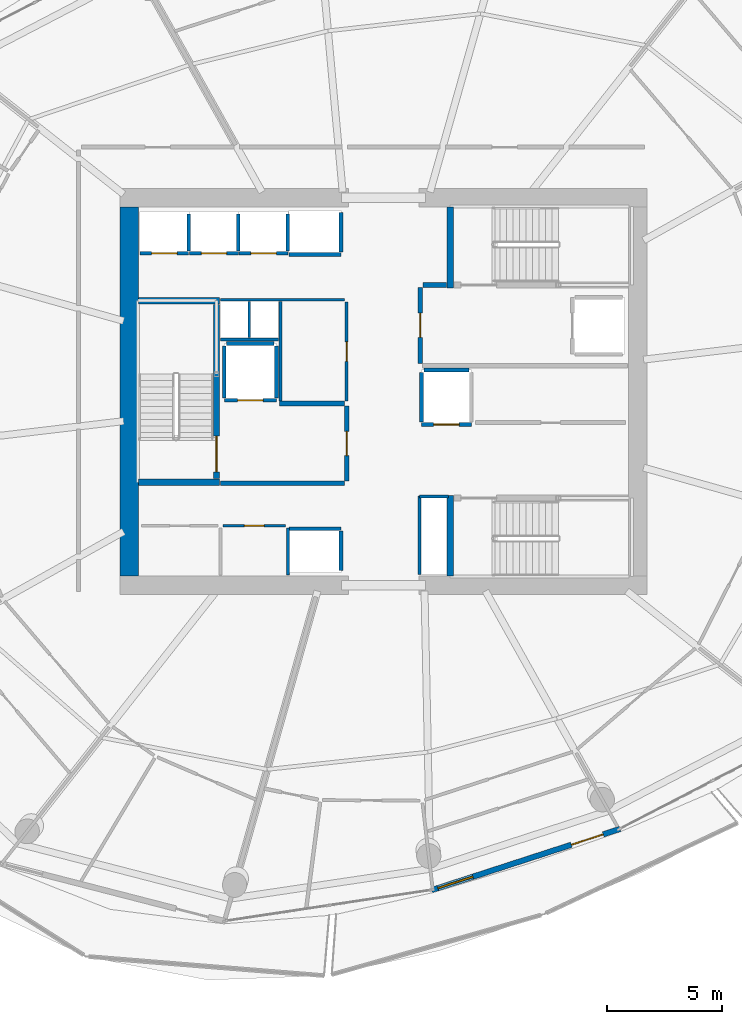
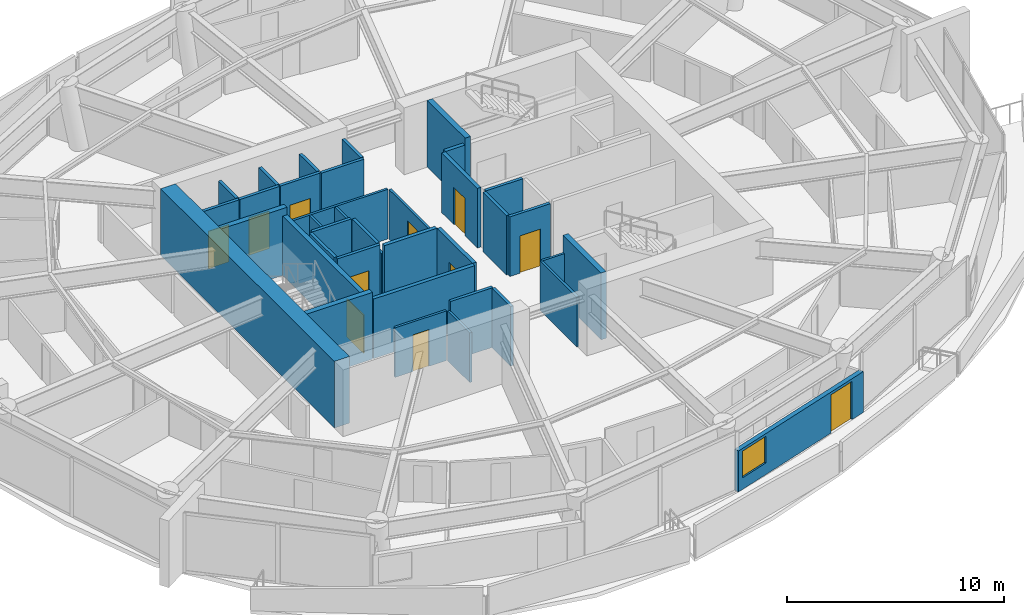
# One storey, part 11 of 19: 38 walls, 11 doors, 1 window, 12 openings.
"""IFC4 building model written with IfcOpenShell, lengths in metres."""

import ifcopenshell
import ifcopenshell.guid

model = None  # the IFC model being written
_history = None  # IfcOwnerHistory: only IFC2X3 demands one
_inside = {}  # id of a spatial element -> (the spatial element, [elements in it])
_under = {}  # id of a project, library or spatial element -> (it, [spatial elements below it])
_declared = {}  # id of a project -> (the project, [libraries it declares])
_typed = {}  # id of a type object -> (the type object, [elements of that type])
_made_of = {}  # id of a material, layer set ... -> (it, [elements and type objects made of it])


def new_model(schema):
    """Start an empty IFC model of exactly this schema.

    Asked for "IFC4X3", IfcOpenShell would pick the latest addendum, in which some entities
    have other attributes; the version numbers below select the first issue.
    IFC2X3 requires an IfcOwnerHistory on every rooted entity: one is made here for all.
    """
    global model, _history
    if schema == "IFC4X3":
        model = ifcopenshell.file(schema_version=(4, 3, 0, 0))
    else:
        model = ifcopenshell.file(schema=schema)
    _inside.clear()
    _under.clear()
    _declared.clear()
    _typed.clear()
    _made_of.clear()
    _history = None
    if model.schema == "IFC2X3":
        org = make("IfcOrganization", Name="unknown")
        user = make(
            "IfcPersonAndOrganization",
            ThePerson=make("IfcPerson", FamilyName="unknown"),
            TheOrganization=org,
        )
        app = make(
            "IfcApplication",
            ApplicationDeveloper=org,
            Version="unknown",
            ApplicationFullName="unknown",
            ApplicationIdentifier="unknown",
        )
        _history = make(
            "IfcOwnerHistory",
            OwningUser=user,
            OwningApplication=app,
            ChangeAction="ADDED",
            CreationDate=0,
        )
    return model


def make(cls, **values):
    """One entity of the class cls with the attributes given. An attribute that is None is left unset."""
    return model.create_entity(
        cls, **{name: value for name, value in values.items() if value is not None}
    )


def rooted(cls, **values):
    """An entity with a GlobalId (a new one), such as an element, a storey or a relation."""
    return make(cls, GlobalId=ifcopenshell.guid.new(), OwnerHistory=_history, **values)


def si_unit(unit_type, name, prefix=None):
    """IfcSIUnit, for example si_unit("LENGTHUNIT", "METRE", prefix="MILLI")."""
    return make("IfcSIUnit", UnitType=unit_type, Prefix=prefix, Name=name)


def assignment(units):
    """IfcUnitAssignment: the units of a project."""
    return None if units is None else make("IfcUnitAssignment", Units=units)


def point(xyz):
    """IfcCartesianPoint."""
    return None if xyz is None else make("IfcCartesianPoint", Coordinates=xyz)


def direction(xyz):
    """IfcDirection."""
    return None if xyz is None else make("IfcDirection", DirectionRatios=xyz)


def frame(location, z_axis=None, x_axis=None):
    """IfcAxis2Placement3D, a coordinate frame: its origin and axes. An axis left out is left unset."""
    return make(
        "IfcAxis2Placement3D",
        Location=point(location),
        Axis=direction(z_axis),
        RefDirection=direction(x_axis),
    )


def frame_2d(location, x_axis=None):
    """IfcAxis2Placement2D, a coordinate frame in the plane: its origin and x axis."""
    return make(
        "IfcAxis2Placement2D", Location=point(location), RefDirection=direction(x_axis)
    )


def origin():
    """The frame at (0, 0, 0) with its axes left unset."""
    return frame((0.0, 0.0, 0.0))


def place(relative_to, where):
    """IfcLocalPlacement: puts the frame where relative to a parent placement (None: the world)."""
    return make(
        "IfcLocalPlacement", PlacementRelTo=relative_to, RelativePlacement=where
    )


def context(
    kind, dimensions, precision=None, world=None, true_north=None, identifier=None
):
    """IfcGeometricRepresentationContext, for example the 3D "Model" context."""
    return make(
        "IfcGeometricRepresentationContext",
        ContextIdentifier=identifier,
        ContextType=kind,
        CoordinateSpaceDimension=dimensions,
        Precision=precision,
        WorldCoordinateSystem=world,
        TrueNorth=true_north,
    )


def subcontext(parent, identifier, kind, view, scale=None):
    """IfcGeometricRepresentationSubContext, for example "Body" below "Model"."""
    return make(
        "IfcGeometricRepresentationSubContext",
        ContextIdentifier=identifier,
        ContextType=kind,
        ParentContext=parent,
        TargetScale=scale,
        TargetView=view,
    )


def project(units=None, contexts=None):
    """IfcProject with its units and contexts."""
    return rooted(
        "IfcProject",
        Name="project",
        RepresentationContexts=contexts,
        UnitsInContext=assignment(units),
    )


def spatial(cls, under=None, at=None, **own):
    """A site, building, storey or space (cls), placed at a placement, below another one or the project."""
    s = rooted(cls, ObjectPlacement=at, **own)
    if under is not None:
        _under.setdefault(under.id(), (under, []))[1].append(s)
    return s


def profile(cls, at=None, kind="AREA", **sizes):
    """A parametric profile (cls). Its sizes go by their IFC names, for example OverallWidth=200.0."""
    return make(cls, ProfileType=kind, Position=at, **sizes)


def rectangle(**sizes):
    """IfcRectangleProfileDef."""
    return profile("IfcRectangleProfileDef", **sizes)


def extrude(swept, where, along, depth):
    """IfcExtrudedAreaSolid: the profile swept, set in the frame where, extruded along a direction by depth."""
    return make(
        "IfcExtrudedAreaSolid",
        SweptArea=swept,
        Position=where,
        ExtrudedDirection=direction(along),
        Depth=depth,
    )


def shape(context_of_items, identifier, shape_type, items):
    """IfcShapeRepresentation: the items that make up one representation, for example the "Body"."""
    return make(
        "IfcShapeRepresentation",
        ContextOfItems=context_of_items,
        RepresentationIdentifier=identifier,
        RepresentationType=shape_type,
        Items=items,
    )


def material(Name=None, Category=None):
    """IfcMaterial."""
    return make("IfcMaterial", Name=Name, Category=Category)


def layer(
    of_material, thickness, ventilated=None, Name=None, Category=None, Priority=None
):
    """IfcMaterialLayer: one layer of a wall or slab, of a material (None: an air gap)."""
    return make(
        "IfcMaterialLayer",
        Material=of_material,
        LayerThickness=thickness,
        IsVentilated=ventilated,
        Name=Name,
        Category=Category,
        Priority=Priority,
    )


def layer_set(layers, Name=None):
    """IfcMaterialLayerSet."""
    return make("IfcMaterialLayerSet", MaterialLayers=layers, LayerSetName=Name)


def made_of(thing, what):
    """Note that an element or type object is made of a material, layer set ...; save() writes the relation."""
    if what is not None:
        _made_of.setdefault(what.id(), (what, []))[1].append(thing)
    return thing


def type_object(cls, material=None, **own):
    """A type object (cls), such as IfcWallType, which elements share."""
    return made_of(rooted(cls, **own), material)


def element(
    cls,
    number,
    at=None,
    inside=None,
    cuts=None,
    type_object=None,
    material=None,
    context=None,
    identifier="Body",
    shape_type=None,
    held_by="IfcProductDefinitionShape",
    body=None,
    shapes=None,
    **own,
):
    """One element of the class cls, such as IfcWall. Its Tag is "e" and its number.

    at: its placement. inside: the storey or other place that contains it. cuts: it is an
    opening in that element (IfcRelVoidsElement). A single representation is given by context,
    identifier, shape_type and body (its items); several are given by shapes. held_by: the class
    of the entity that holds the representations. save() writes the other relations.
    """
    e = rooted(cls, Tag="e%d" % number, ObjectPlacement=at, **own)
    if body is not None:
        shapes = [shape(context, identifier, shape_type, body)]
    if shapes is not None:
        e.Representation = make(held_by, Representations=shapes)
    if inside is not None:
        _inside.setdefault(inside.id(), (inside, []))[1].append(e)
    if cuts is not None:
        rooted(
            "IfcRelVoidsElement", RelatingBuildingElement=cuts, RelatedOpeningElement=e
        )
    if type_object is not None:
        _typed.setdefault(type_object.id(), (type_object, []))[1].append(e)
    return made_of(e, material)


def fill(opening, filler):
    """IfcRelFillsElement: the door or window that sits in an opening."""
    return rooted(
        "IfcRelFillsElement",
        RelatingOpeningElement=opening,
        RelatedBuildingElement=filler,
    )


def aggregate(whole, parts):
    """IfcRelAggregates: a whole, such as a stair, and the parts it consists of."""
    return rooted("IfcRelAggregates", RelatingObject=whole, RelatedObjects=parts)


def save(model, path):
    """Write the relations noted so far, then the file.

    IfcRelAggregates (storeys below a building ...), IfcRelContainedInSpatialStructure (elements
    in a storey), IfcRelDefinesByType, IfcRelAssociatesMaterial and IfcRelDeclares: one each for
    every whole, place, type object, material and project.
    """
    for whole, parts in _under.values():
        aggregate(whole, parts)
    for where, things in _inside.values():
        rooted(
            "IfcRelContainedInSpatialStructure",
            RelatedElements=things,
            RelatingStructure=where,
        )
    for kind, things in _typed.values():
        rooted("IfcRelDefinesByType", RelatedObjects=things, RelatingType=kind)
    for what, things in _made_of.values():
        rooted("IfcRelAssociatesMaterial", RelatedObjects=things, RelatingMaterial=what)
    for by, libraries in _declared.values():
        rooted("IfcRelDeclares", RelatingContext=by, RelatedDefinitions=libraries)
    model.write(path)


model = new_model("IFC4")

# Units and contexts
model_context = context("Model", 3, precision=1e-05, world=origin(), true_north=direction((0.0, 1.0)))
body_context = subcontext(model_context, "Body", "Model", "MODEL_VIEW")
ifc_project = project(units=[si_unit("LENGTHUNIT", "METRE"), si_unit("AREAUNIT", "SQUARE_METRE"), si_unit("VOLUMEUNIT", "CUBIC_METRE"), si_unit("PLANEANGLEUNIT", "RADIAN"), si_unit("MASSUNIT", "GRAM", prefix="KILO")], contexts=[model_context])

# Site, building, storey
site_placement = place(None, origin())
site = spatial("IfcSite", under=ifc_project, at=site_placement, CompositionType="ELEMENT")
building_placement = place(site_placement, origin())
building = spatial("IfcBuilding", under=site, at=building_placement, Name="Kazma Halo Residences", CompositionType="ELEMENT")
storey_placement = place(building_placement, frame((0.0, 0.0, 172.800048828125)))
storey = spatial("IfcBuildingStorey", under=building, at=storey_placement, Name="L43", CompositionType="ELEMENT", Elevation=172.800048828125)

# Walls
ifc_material_1 = material(Name="Concrete C80/95", Category="concrete")
ifc_layer_1 = layer(ifc_material_1, 0.800048828125)
ifc_layer_set_1 = layer_set([ifc_layer_1], Name="Concrete C80/95")
wall_type_1 = type_object("IfcWallType", Name="WL-CORE-800", PredefinedType="SHEAR", material=ifc_layer_set_1)
wall_1_placement = place(storey_placement, frame((37.39990234375, 34.0, 0.0), z_axis=(0.0, 0.0, 1.0), x_axis=(0.0, 1.0, 0.0)))
element("IfcWall", 1, at=wall_1_placement, inside=storey, type_object=wall_type_1, Name="L43 central core shear wall W", PredefinedType="SHEAR", context=body_context, shape_type="SweptSolid", body=[
    extrude(rectangle(XDim=16.0, YDim=0.800048828125, at=frame_2d((8.0, 0.0))), origin(), (0.0, 0.0, 1.0), 3.75),
])
ifc_material_2 = material(Name="Concrete C60/75", Category="concrete")
ifc_layer_2 = layer(ifc_material_2, 0.280029296875)
ifc_layer_set_2 = layer_set([ifc_layer_2], Name="Concrete C60/75")
wall_type_2 = type_object("IfcWallType", Name="WL-CORE-ST-280", PredefinedType="SHEAR", material=ifc_layer_set_2)
for number, where, z_axis, x_axis, name in (
    (2, (37.800048828125, 38.06005859375, 0.0), (0.0, 0.0, 1.0), (1.0, 0.0, 0.0), "L43 stairwell bearing wall ST01-S"),
    (3, (37.800048828125, 45.93994140625, 0.0), (0.0, 0.0, 1.0), (1.0, 0.0, 0.0), "L43 stairwell bearing wall ST01-N"),
    (4, (51.31005859375, 46.5, 0.0), (0.0, 0.0, 1.0), (0.0, 1.0, 0.0), "L43 stairwell bearing wall ST02-W"),
    (5, (51.31005859375, 34.0, 0.0), (0.0, 0.0, 1.0), (0.0, 1.0, 0.0), "L43 stairwell bearing wall ST03-W"),
):
    element("IfcWall", number, at=place(storey_placement, frame(where, z_axis=z_axis, x_axis=x_axis)), inside=storey, type_object=wall_type_2, Name=name, PredefinedType="SHEAR", context=body_context, shape_type="SweptSolid", body=[
        extrude(rectangle(XDim=3.5, YDim=0.280029296875, at=frame_2d((1.75, 0.0))), origin(), (0.0, 0.0, 1.0), 3.75),
    ])

# Wall, openings, door, window
ifc_material_3 = material(Name="Insulated Pale-Metal Composite Wall")
ifc_layer_3 = layer(ifc_material_3, 0.239990234375)
ifc_layer_set_3 = layer_set([ifc_layer_3], Name="Insulated Pale-Metal Composite Wall")
wall_type_3 = type_object("IfcWallType", Name="WL-EXT-HOST-240", PredefinedType="SOLIDWALL", material=ifc_layer_set_3)
wall_2_placement = place(storey_placement, frame((50.510009765625, 20.375732421875, 0.0), z_axis=(0.0, 0.0, 1.0), x_axis=(0.951046390632, 0.309048156224, 0.0)))
wall_2 = element("IfcWall", 6, at=wall_2_placement, inside=storey, type_object=wall_type_3, Name="L43 exterior terrace-access wall B12", PredefinedType="SOLIDWALL", context=body_context, shape_type="SweptSolid", body=[
    extrude(rectangle(XDim=8.590087890625, YDim=0.239990234375, at=frame_2d((4.294921875, 0.0))), origin(), (0.0, 0.0, 1.0), 2.300048828125),
])
opening_1_placement = place(wall_2_placement, frame((6.370361328125, 0.0, 0.0)))
opening_1 = element("IfcOpeningElement", 7, at=opening_1_placement, cuts=wall_2, Name="Opening DTR-1600", PredefinedType="OPENING", context=body_context, shape_type="SweptSolid", body=[
    extrude(rectangle(XDim=1.449951171875, YDim=2.14990234375, at=frame_2d((0.72509765625, 1.074951171875))), frame((0.0, 0.1298828125, 0.0), z_axis=(0.0, -1.0, 0.0), x_axis=(1.0, 0.0, 0.0)), (0.0, 0.0, 1.0), 0.260009765625),
])
opening_2_placement = place(wall_2_placement, frame((0.280029296875, 0.0, 0.64990234375)))
opening_2 = element("IfcOpeningElement", 8, at=opening_2_placement, cuts=wall_2, Name="Opening W-1800", PredefinedType="OPENING", context=body_context, shape_type="SweptSolid", body=[
    extrude(rectangle(XDim=1.60009765625, YDim=1.5, at=frame_2d((0.800048828125, 0.75))), frame((0.0, 0.1298828125, 0.0), z_axis=(0.0, -1.0, 0.0), x_axis=(1.0, 0.0, 0.0)), (0.0, 0.0, 1.0), 0.260009765625),
])
ifc_material_4 = material(Name="Aluminium AW-6063 T6 Double-Glazed Terrace Door", Category="aluminium")
door_type_1 = type_object("IfcDoorType", Name="DR-EXT-TERR-1600", OperationType="NOTDEFINED", PredefinedType="DOOR", material=ifc_material_4)
door_1_placement = place(opening_1_placement, origin())
door_1 = element("IfcDoor", 9, at=door_1_placement, inside=storey, type_object=door_type_1, Name="L43 B12 balcony terrace door", OperationType="DOUBLE_DOOR_SLIDING", OverallHeight=2.14990234375, OverallWidth=1.449951171875, PredefinedType="DOOR", context=body_context, shape_type="SweptSolid", body=[
    extrude(rectangle(XDim=1.449951171875, YDim=2.14990234375, at=frame_2d((0.72509765625, 1.074951171875))), frame((0.0, 0.02490234375, 0.0), z_axis=(0.0, -1.0, 0.0), x_axis=(1.0, 0.0, 0.0)), (0.0, 0.0, 1.0), 0.050048828125),
])
fill(opening_1, door_1)
ifc_material_5 = material(Name="Clear Triple-Silver Low-E Glass in Aluminium AW-6063 T6 Frame", Category="aluminium")
window_type = type_object("IfcWindowType", Name="WIN-RES-1800", PartitioningType="DOUBLE_PANEL_VERTICAL", PredefinedType="WINDOW", material=ifc_material_5)
window_placement = place(opening_2_placement, origin())
window = element("IfcWindow", 10, at=window_placement, inside=storey, type_object=window_type, Name="L43 B12 apartment window", OverallHeight=1.5, OverallWidth=1.60009765625, PartitioningType="SINGLE_PANEL", PredefinedType="WINDOW", context=body_context, shape_type="SweptSolid", body=[
    extrude(rectangle(XDim=1.60009765625, YDim=1.5, at=frame_2d((0.800048828125, 0.75))), frame((0.0, 0.030029296875, 0.0), z_axis=(0.0, -1.0, 0.0), x_axis=(1.0, 0.0, 0.0)), (0.0, 0.0, 1.0), 0.06005859375),
])
fill(opening_2, window)

# Wall, opening, door
ifc_material_6 = material(Name="Fire-Rated Blockwork Masonry", Category="masonry")
ifc_layer_4 = layer(ifc_material_6, 0.199951171875)
ifc_layer_set_4 = layer_set([ifc_layer_4], Name="Fire-Rated Blockwork Masonry")
wall_type_4 = type_object("IfcWallType", Name="WL-FLB-200", PredefinedType="PARTITIONING", material=ifc_layer_set_4)
wall_3_placement = place(storey_placement, frame((39.97509765625, 47.9951171875, 0.0), z_axis=(0.0, 0.0, 1.0), x_axis=(-1.0, 0.0, 0.0)))
wall_3 = element("IfcWall", 11, at=wall_3_placement, inside=storey, type_object=wall_type_4, Name="L43 lift shaft PM-01 front wall", PredefinedType="PARTITIONING", context=body_context, shape_type="SweptSolid", body=[
    extrude(rectangle(XDim=2.110107421875, YDim=0.159912109375, at=frame_2d((1.05517578125, 0.0))), origin(), (0.0, 0.0, 1.0), 3.349853515625),
])
opening_3_placement = place(wall_3_placement, frame((0.5048828125, 0.0, 0.0)))
opening_3 = element("IfcOpeningElement", 12, at=opening_3_placement, cuts=wall_3, Name="Opening LD-PM-01", PredefinedType="OPENING", context=body_context, shape_type="SweptSolid", body=[
    extrude(rectangle(XDim=1.10009765625, YDim=2.10009765625, at=frame_2d((0.550048828125, 1.050048828125))), frame((0.0, 0.08984375, 0.0), z_axis=(0.0, -1.0, 0.0), x_axis=(1.0, 0.0, 0.0)), (0.0, 0.0, 1.0), 0.179931640625),
])
ifc_material_7 = material(Name="Stainless Steel Fire-Rated", Category="steel")
door_type_2 = type_object("IfcDoorType", Name="DR-LIFT-SLD-1100", OperationType="DOUBLE_DOOR_SLIDING", PredefinedType="DOOR", material=ifc_material_7)
door_2_placement = place(opening_3_placement, origin())
door_2 = element("IfcDoor", 13, at=door_2_placement, inside=storey, type_object=door_type_2, Name="L43 lift PM-01 sliding landing door", OperationType="DOUBLE_DOOR_SLIDING", OverallHeight=2.10009765625, OverallWidth=1.10009765625, PredefinedType="DOOR", context=body_context, shape_type="SweptSolid", body=[
    extrude(rectangle(XDim=1.10009765625, YDim=2.10009765625, at=frame_2d((0.550048828125, 1.050048828125))), frame((0.0, 0.02490234375, 0.0), z_axis=(0.0, -1.0, 0.0), x_axis=(1.0, 0.0, 0.0)), (0.0, 0.0, 1.0), 0.050048828125),
])
fill(opening_3, door_2)

# Wall
wall_4_placement = place(storey_placement, frame((39.97509765625, 48.094970703125, 0.0), z_axis=(0.0, 0.0, 1.0), x_axis=(0.0, 1.0, 0.0)))
element("IfcWall", 14, at=wall_4_placement, inside=storey, type_object=wall_type_4, Name="L43 lift shaft PM-01 side wall E", PredefinedType="PARTITIONING", context=body_context, shape_type="SweptSolid", body=[
    extrude(rectangle(XDim=1.610107421875, YDim=0.159912109375, at=frame_2d((0.80517578125, 0.0))), origin(), (0.0, 0.0, 1.0), 3.349853515625),
])

# Wall, opening, door
wall_5_placement = place(storey_placement, frame((42.125, 47.9951171875, 0.0), z_axis=(0.0, 0.0, 1.0), x_axis=(-1.0, 0.0, 0.0)))
wall_5 = element("IfcWall", 15, at=wall_5_placement, inside=storey, type_object=wall_type_4, Name="L43 lift shaft PM-02 front wall", PredefinedType="PARTITIONING", context=body_context, shape_type="SweptSolid", body=[
    extrude(rectangle(XDim=2.110107421875, YDim=0.159912109375, at=frame_2d((1.05517578125, 0.0))), origin(), (0.0, 0.0, 1.0), 3.349853515625),
])
opening_4_placement = place(wall_5_placement, frame((0.5048828125, 0.0, 0.0)))
opening_4 = element("IfcOpeningElement", 16, at=opening_4_placement, cuts=wall_5, Name="Opening LD-PM-02", PredefinedType="OPENING", context=body_context, shape_type="SweptSolid", body=[
    extrude(rectangle(XDim=1.10009765625, YDim=2.10009765625, at=frame_2d((0.550048828125, 1.050048828125))), frame((0.0, 0.08984375, 0.0), z_axis=(0.0, -1.0, 0.0), x_axis=(1.0, 0.0, 0.0)), (0.0, 0.0, 1.0), 0.179931640625),
])
door_3_placement = place(opening_4_placement, origin())
door_3 = element("IfcDoor", 17, at=door_3_placement, inside=storey, type_object=door_type_2, Name="L43 lift PM-02 sliding landing door", OperationType="DOUBLE_DOOR_SLIDING", OverallHeight=2.10009765625, OverallWidth=1.10009765625, PredefinedType="DOOR", context=body_context, shape_type="SweptSolid", body=[
    extrude(rectangle(XDim=1.10009765625, YDim=2.10009765625, at=frame_2d((0.550048828125, 1.050048828125))), frame((0.0, 0.02490234375, 0.0), z_axis=(0.0, -1.0, 0.0), x_axis=(1.0, 0.0, 0.0)), (0.0, 0.0, 1.0), 0.050048828125),
])
fill(opening_4, door_3)

# Wall
wall_6_placement = place(storey_placement, frame((42.125, 48.094970703125, 0.0), z_axis=(0.0, 0.0, 1.0), x_axis=(0.0, 1.0, 0.0)))
element("IfcWall", 18, at=wall_6_placement, inside=storey, type_object=wall_type_4, Name="L43 lift shaft PM-02 side wall E", PredefinedType="PARTITIONING", context=body_context, shape_type="SweptSolid", body=[
    extrude(rectangle(XDim=1.610107421875, YDim=0.159912109375, at=frame_2d((0.80517578125, 0.0))), origin(), (0.0, 0.0, 1.0), 3.349853515625),
])

# Wall, opening, door
wall_7_placement = place(storey_placement, frame((44.27490234375, 47.9951171875, 0.0), z_axis=(0.0, 0.0, 1.0), x_axis=(-1.0, 0.0, 0.0)))
wall_7 = element("IfcWall", 19, at=wall_7_placement, inside=storey, type_object=wall_type_4, Name="L43 lift shaft PM-03 front wall", PredefinedType="PARTITIONING", context=body_context, shape_type="SweptSolid", body=[
    extrude(rectangle(XDim=2.10986328125, YDim=0.159912109375, at=frame_2d((1.054931640625, 0.0))), origin(), (0.0, 0.0, 1.0), 3.349853515625),
])
opening_5_placement = place(wall_7_placement, frame((0.5048828125, 0.0, 0.0)))
opening_5 = element("IfcOpeningElement", 20, at=opening_5_placement, cuts=wall_7, Name="Opening LD-PM-03", PredefinedType="OPENING", context=body_context, shape_type="SweptSolid", body=[
    extrude(rectangle(XDim=1.10009765625, YDim=2.10009765625, at=frame_2d((0.550048828125, 1.050048828125))), frame((0.0, 0.08984375, 0.0), z_axis=(0.0, -1.0, 0.0), x_axis=(1.0, 0.0, 0.0)), (0.0, 0.0, 1.0), 0.179931640625),
])
door_4_placement = place(opening_5_placement, origin())
door_4 = element("IfcDoor", 21, at=door_4_placement, inside=storey, type_object=door_type_2, Name="L43 lift PM-03 sliding landing door", OperationType="DOUBLE_DOOR_SLIDING", OverallHeight=2.10009765625, OverallWidth=1.10009765625, PredefinedType="DOOR", context=body_context, shape_type="SweptSolid", body=[
    extrude(rectangle(XDim=1.10009765625, YDim=2.10009765625, at=frame_2d((0.550048828125, 1.050048828125))), frame((0.0, 0.02490234375, 0.0), z_axis=(0.0, -1.0, 0.0), x_axis=(1.0, 0.0, 0.0)), (0.0, 0.0, 1.0), 0.050048828125),
])
fill(opening_5, door_4)

# Walls
wall_8_placement = place(storey_placement, frame((44.27490234375, 48.094970703125, 0.0), z_axis=(0.0, 0.0, 1.0), x_axis=(0.0, 1.0, 0.0)))
element("IfcWall", 22, at=wall_8_placement, inside=storey, type_object=wall_type_4, Name="L43 lift shaft PM-03 side wall E", PredefinedType="PARTITIONING", context=body_context, shape_type="SweptSolid", body=[
    extrude(rectangle(XDim=1.610107421875, YDim=0.159912109375, at=frame_2d((0.80517578125, 0.0))), origin(), (0.0, 0.0, 1.0), 3.349853515625),
])
wall_9_placement = place(storey_placement, frame((46.580078125, 47.945068359375, 0.0), z_axis=(0.0, 0.0, 1.0), x_axis=(-1.0, 0.0, 0.0)))
element("IfcWall", 23, at=wall_9_placement, inside=storey, type_object=wall_type_4, Name="L43 lift shaft PX-01 front wall", PredefinedType="PARTITIONING", context=body_context, shape_type="SweptSolid", body=[
    extrude(rectangle(XDim=2.260009765625, YDim=0.159912109375, at=frame_2d((1.1298828125, 0.0))), origin(), (0.0, 0.0, 1.0), 3.349853515625),
])
wall_10_placement = place(storey_placement, frame((46.580078125, 48.044921875, 0.0), z_axis=(0.0, 0.0, 1.0), x_axis=(0.0, 1.0, 0.0)))
element("IfcWall", 24, at=wall_10_placement, inside=storey, type_object=wall_type_4, Name="L43 lift shaft PX-01 side wall E", PredefinedType="PARTITIONING", context=body_context, shape_type="SweptSolid", body=[
    extrude(rectangle(XDim=1.7099609375, YDim=0.159912109375, at=frame_2d((0.85498046875, 0.0))), origin(), (0.0, 0.0, 1.0), 3.349853515625),
])
wall_11_placement = place(storey_placement, frame((44.320068359375, 36.054931640625, 0.0), z_axis=(0.0, 0.0, 1.0), x_axis=(1.0, 0.0, 0.0)))
element("IfcWall", 25, at=wall_11_placement, inside=storey, type_object=wall_type_4, Name="L43 lift shaft PX-02 front wall", PredefinedType="PARTITIONING", context=body_context, shape_type="SweptSolid", body=[
    extrude(rectangle(XDim=2.260009765625, YDim=0.159912109375, at=frame_2d((1.1298828125, 0.0))), origin(), (0.0, 0.0, 1.0), 3.349853515625),
])
wall_12_placement = place(storey_placement, frame((46.580078125, 34.2451171875, 0.0), z_axis=(0.0, 0.0, 1.0), x_axis=(0.0, 1.0, 0.0)))
element("IfcWall", 26, at=wall_12_placement, inside=storey, type_object=wall_type_4, Name="L43 lift shaft PX-02 side wall E", PredefinedType="PARTITIONING", context=body_context, shape_type="SweptSolid", body=[
    extrude(rectangle(XDim=1.7099609375, YDim=0.159912109375, at=frame_2d((0.85498046875, 0.0))), origin(), (0.0, 0.0, 1.0), 3.349853515625),
])

# Wall, opening, door
wall_13_placement = place(storey_placement, frame((43.780029296875, 41.6201171875, 0.0), z_axis=(0.0, 0.0, 1.0), x_axis=(-1.0, 0.0, 0.0)))
wall_13 = element("IfcWall", 27, at=wall_13_placement, inside=storey, type_object=wall_type_4, Name="L43 lift shaft FL-01 front wall", PredefinedType="PARTITIONING", context=body_context, shape_type="SweptSolid", body=[
    extrude(rectangle(XDim=2.260009765625, YDim=0.159912109375, at=frame_2d((1.1298828125, 0.0))), origin(), (0.0, 0.0, 1.0), 3.349853515625),
])
opening_6_placement = place(wall_13_placement, frame((0.580078125, 0.0, 0.0)))
opening_6 = element("IfcOpeningElement", 28, at=opening_6_placement, cuts=wall_13, Name="Opening LD-FL-01", PredefinedType="OPENING", context=body_context, shape_type="SweptSolid", body=[
    extrude(rectangle(XDim=1.10009765625, YDim=2.10009765625, at=frame_2d((0.550048828125, 1.050048828125))), frame((0.0, 0.08984375, 0.0), z_axis=(0.0, -1.0, 0.0), x_axis=(1.0, 0.0, 0.0)), (0.0, 0.0, 1.0), 0.179931640625),
])
door_5_placement = place(opening_6_placement, origin())
door_5 = element("IfcDoor", 29, at=door_5_placement, inside=storey, type_object=door_type_2, Name="L43 lift FL-01 sliding landing door", OperationType="DOUBLE_DOOR_SLIDING", OverallHeight=2.10009765625, OverallWidth=1.10009765625, PredefinedType="DOOR", context=body_context, shape_type="SweptSolid", body=[
    extrude(rectangle(XDim=1.10009765625, YDim=2.10009765625, at=frame_2d((0.550048828125, 1.050048828125))), frame((0.0, 0.02490234375, 0.0), z_axis=(0.0, -1.0, 0.0), x_axis=(1.0, 0.0, 0.0)), (0.0, 0.0, 1.0), 0.050048828125),
])
fill(opening_6, door_5)

# Walls
for number, where, z_axis, x_axis, name in (
    (30, (43.780029296875, 41.719970703125, 0.0), (0.0, 0.0, 1.0), (0.0, 1.0, 0.0), "L43 lift shaft FL-01 side wall E"),
    (31, (41.52001953125, 41.719970703125, 0.0), (0.0, 0.0, 1.0), (0.0, 1.0, 0.0), "L43 lift shaft FL-01 side wall W"),
):
    element("IfcWall", number, at=place(storey_placement, frame(where, z_axis=z_axis, x_axis=x_axis)), inside=storey, type_object=wall_type_4, Name=name, PredefinedType="PARTITIONING", context=body_context, shape_type="SweptSolid", body=[
        extrude(rectangle(XDim=2.260009765625, YDim=0.159912109375, at=frame_2d((1.1298828125, 0.0))), origin(), (0.0, 0.0, 1.0), 3.349853515625),
    ])
wall_14_placement = place(storey_placement, frame((41.6201171875, 44.080078125, 0.0), z_axis=(0.0, 0.0, 1.0), x_axis=(1.0, 0.0, 0.0)))
element("IfcWall", 32, at=wall_14_placement, inside=storey, type_object=wall_type_4, Name="L43 lift shaft FL-01 side wall N", PredefinedType="PARTITIONING", context=body_context, shape_type="SweptSolid", body=[
    extrude(rectangle(XDim=2.059814453125, YDim=0.159912109375, at=frame_2d((1.02978515625, 0.0))), origin(), (0.0, 0.0, 1.0), 3.349853515625),
])

# Wall, opening, door
wall_15_placement = place(storey_placement, frame((52.22998046875, 40.570068359375, 0.0), z_axis=(0.0, 0.0, 1.0), x_axis=(-1.0, 0.0, 0.0)))
wall_15 = element("IfcWall", 33, at=wall_15_placement, inside=storey, type_object=wall_type_4, Name="L43 lift shaft SV-01 front wall", PredefinedType="PARTITIONING", context=body_context, shape_type="SweptSolid", body=[
    extrude(rectangle(XDim=2.159912109375, YDim=0.159912109375, at=frame_2d((1.080078125, 0.0))), origin(), (0.0, 0.0, 1.0), 3.349853515625),
])
opening_7_placement = place(wall_15_placement, frame((0.530029296875, 0.0, 0.0)))
opening_7 = element("IfcOpeningElement", 34, at=opening_7_placement, cuts=wall_15, Name="Opening LD-SV-01", PredefinedType="OPENING", context=body_context, shape_type="SweptSolid", body=[
    extrude(rectangle(XDim=1.10009765625, YDim=2.10009765625, at=frame_2d((0.550048828125, 1.050048828125))), frame((0.0, 0.08984375, 0.0), z_axis=(0.0, -1.0, 0.0), x_axis=(1.0, 0.0, 0.0)), (0.0, 0.0, 1.0), 0.179931640625),
])
door_6_placement = place(opening_7_placement, origin())
door_6 = element("IfcDoor", 35, at=door_6_placement, inside=storey, type_object=door_type_2, Name="L43 lift SV-01 sliding landing door", OperationType="DOUBLE_DOOR_SLIDING", OverallHeight=2.10009765625, OverallWidth=1.10009765625, PredefinedType="DOOR", context=body_context, shape_type="SweptSolid", body=[
    extrude(rectangle(XDim=1.10009765625, YDim=2.10009765625, at=frame_2d((0.550048828125, 1.050048828125))), frame((0.0, 0.02490234375, 0.0), z_axis=(0.0, -1.0, 0.0), x_axis=(1.0, 0.0, 0.0)), (0.0, 0.0, 1.0), 0.050048828125),
])
fill(opening_7, door_6)

# Walls
wall_16_placement = place(storey_placement, frame((50.070068359375, 40.669921875, 0.0), z_axis=(0.0, 0.0, 1.0), x_axis=(0.0, 1.0, 0.0)))
element("IfcWall", 36, at=wall_16_placement, inside=storey, type_object=wall_type_4, Name="L43 lift shaft SV-01 side wall W", PredefinedType="PARTITIONING", context=body_context, shape_type="SweptSolid", body=[
    extrude(rectangle(XDim=2.16015625, YDim=0.159912109375, at=frame_2d((1.080078125, 0.0))), origin(), (0.0, 0.0, 1.0), 3.349853515625),
])
wall_17_placement = place(storey_placement, frame((50.169921875, 42.929931640625, 0.0), z_axis=(0.0, 0.0, 1.0), x_axis=(1.0, 0.0, 0.0)))
element("IfcWall", 37, at=wall_17_placement, inside=storey, type_object=wall_type_4, Name="L43 lift shaft SV-01 side wall N", PredefinedType="PARTITIONING", context=body_context, shape_type="SweptSolid", body=[
    extrude(rectangle(XDim=1.9599609375, YDim=0.159912109375, at=frame_2d((0.97998046875, 0.0))), origin(), (0.0, 0.0, 1.0), 3.349853515625),
])
wall_18_placement = place(storey_placement, frame((41.35009765625, 38.02001953125, 0.0), z_axis=(0.0, 0.0, 1.0), x_axis=(1.0, 0.0, 0.0)))
element("IfcWall", 38, at=wall_18_placement, inside=storey, type_object=wall_type_4, Name="L43 west firefighting lobby south smoke wall", PredefinedType="PARTITIONING", context=body_context, shape_type="SweptSolid", body=[
    extrude(rectangle(XDim=5.369873046875, YDim=0.199951171875, at=frame_2d((2.68505859375, 0.0))), origin(), (0.0, 0.0, 1.0), 3.349853515625),
])
wall_19_placement = place(storey_placement, frame((43.919921875, 41.47998046875, 0.0), z_axis=(0.0, 0.0, 1.0), x_axis=(1.0, 0.0, 0.0)))
element("IfcWall", 39, at=wall_19_placement, inside=storey, type_object=wall_type_4, Name="L43 west firefighting lobby north smoke wall", PredefinedType="PARTITIONING", context=body_context, shape_type="SweptSolid", body=[
    extrude(rectangle(XDim=2.800048828125, YDim=0.199951171875, at=frame_2d((1.39990234375, 0.0))), origin(), (0.0, 0.0, 1.0), 3.349853515625),
])

# Wall, opening, door
wall_20_placement = place(storey_placement, frame((46.820068359375, 38.1201171875, 0.0), z_axis=(0.0, 0.0, 1.0), x_axis=(0.0, 1.0, 0.0)))
wall_20 = element("IfcWall", 40, at=wall_20_placement, inside=storey, type_object=wall_type_4, Name="L43 west firefighting lobby smoke wall", PredefinedType="PARTITIONING", context=body_context, shape_type="SweptSolid", body=[
    extrude(rectangle(XDim=3.259765625, YDim=0.199951171875, at=frame_2d((1.6298828125, 0.0))), origin(), (0.0, 0.0, 1.0), 3.349853515625),
])
opening_8_placement = place(wall_20_placement, frame((1.10498046875, 0.0, 0.0)))
opening_8 = element("IfcOpeningElement", 41, at=opening_8_placement, cuts=wall_20, Name="Opening D-FLW", PredefinedType="OPENING", context=body_context, shape_type="SweptSolid", body=[
    extrude(rectangle(XDim=1.050048828125, YDim=2.10009765625, at=frame_2d((0.52490234375, 1.050048828125))), frame((0.0, 0.10986328125, 0.0), z_axis=(0.0, -1.0, 0.0), x_axis=(1.0, 0.0, 0.0)), (0.0, 0.0, 1.0), 0.219970703125),
])
ifc_material_8 = material(Name="Fire-Rated Steel Leaf", Category="steel")
door_type_3 = type_object("IfcDoorType", Name="DR-FD90-1050", OperationType="NOTDEFINED", PredefinedType="DOOR", material=ifc_material_8)
door_7_placement = place(opening_8_placement, origin())
door_7 = element("IfcDoor", 42, at=door_7_placement, inside=storey, type_object=door_type_3, Name="L43 west firefighting lobby smoke door", OperationType="SINGLE_SWING_RIGHT", OverallHeight=2.10009765625, OverallWidth=1.050048828125, PredefinedType="DOOR", context=body_context, shape_type="SweptSolid", body=[
    extrude(rectangle(XDim=1.050048828125, YDim=2.10009765625, at=frame_2d((0.52490234375, 1.050048828125))), frame((0.0, 0.02490234375, 0.0), z_axis=(0.0, -1.0, 0.0), x_axis=(1.0, 0.0, 0.0)), (0.0, 0.0, 1.0), 0.050048828125),
])
fill(opening_8, door_7)

# Wall
wall_21_placement = place(storey_placement, frame((50.139892578125, 46.6201171875, 0.0), z_axis=(0.0, 0.0, 1.0), x_axis=(1.0, 0.0, 0.0)))
element("IfcWall", 43, at=wall_21_placement, inside=storey, type_object=wall_type_4, Name="L43 east firefighting lobby north closure wall", PredefinedType="PARTITIONING", context=body_context, shape_type="SweptSolid", body=[
    extrude(rectangle(XDim=1.02001953125, YDim=0.199951171875, at=frame_2d((0.510009765625, 0.0))), origin(), (0.0, 0.0, 1.0), 3.349853515625),
])

# Wall, opening, door
wall_22_placement = place(storey_placement, frame((50.02001953125, 43.219970703125, 0.0), z_axis=(0.0, 0.0, 1.0), x_axis=(0.0, 1.0, 0.0)))
wall_22 = element("IfcWall", 44, at=wall_22_placement, inside=storey, type_object=wall_type_4, Name="L43 east firefighting lobby smoke wall", PredefinedType="PARTITIONING", context=body_context, shape_type="SweptSolid", body=[
    extrude(rectangle(XDim=3.300048828125, YDim=0.199951171875, at=frame_2d((1.64990234375, 0.0))), origin(), (0.0, 0.0, 1.0), 3.349853515625),
])
opening_9_placement = place(wall_22_placement, frame((1.125, 0.0, 0.0)))
opening_9 = element("IfcOpeningElement", 45, at=opening_9_placement, cuts=wall_22, Name="Opening D-FLE", PredefinedType="OPENING", context=body_context, shape_type="SweptSolid", body=[
    extrude(rectangle(XDim=1.050048828125, YDim=2.10009765625, at=frame_2d((0.52490234375, 1.050048828125))), frame((0.0, 0.10986328125, 0.0), z_axis=(0.0, -1.0, 0.0), x_axis=(1.0, 0.0, 0.0)), (0.0, 0.0, 1.0), 0.219970703125),
])
door_8_placement = place(opening_9_placement, origin())
door_8 = element("IfcDoor", 46, at=door_8_placement, inside=storey, type_object=door_type_3, Name="L43 east firefighting lobby smoke door", OperationType="SINGLE_SWING_LEFT", OverallHeight=2.10009765625, OverallWidth=1.050048828125, PredefinedType="DOOR", context=body_context, shape_type="SweptSolid", body=[
    extrude(rectangle(XDim=1.050048828125, YDim=2.10009765625, at=frame_2d((0.52490234375, 1.050048828125))), frame((0.0, 0.02490234375, 0.0), z_axis=(0.0, -1.0, 0.0), x_axis=(1.0, 0.0, 0.0)), (0.0, 0.0, 1.0), 0.050048828125),
])
fill(opening_9, door_8)

# Wall
ifc_material_9 = material(Name="Gypsum Plasterboard Partition")
ifc_layer_5 = layer(ifc_material_9, 0.125)
ifc_layer_set_5 = layer_set([ifc_layer_5], Name="Gypsum Plasterboard Partition")
wall_type_5 = type_object("IfcWallType", Name="WL-PART-125", PredefinedType="PARTITIONING", material=ifc_layer_set_5)
wall_23_placement = place(storey_placement, frame((44.280029296875, 34.050048828125, 0.0), z_axis=(0.0, 0.0, 1.0), x_axis=(0.0, 1.0, 0.0)))
element("IfcWall", 47, at=wall_23_placement, inside=storey, type_object=wall_type_5, Name="L43 reclaimed south east wall", PredefinedType="PARTITIONING", context=body_context, shape_type="SweptSolid", body=[
    extrude(rectangle(XDim=2.030029296875, YDim=0.125, at=frame_2d((1.01513671875, 0.0))), origin(), (0.0, 0.0, 1.0), 2.7900390625),
])

# Wall, opening, door
wall_24_placement = place(storey_placement, frame((41.449951171875, 36.179931640625, 0.0), z_axis=(0.0, 0.0, 1.0), x_axis=(1.0, 0.0, 0.0)))
wall_24 = element("IfcWall", 48, at=wall_24_placement, inside=storey, type_object=wall_type_5, Name="L43 reclaimed south E front wall", PredefinedType="PARTITIONING", context=body_context, shape_type="SweptSolid", body=[
    extrude(rectangle(XDim=2.72998046875, YDim=0.125, at=frame_2d((1.364990234375, 0.0))), origin(), (0.0, 0.0, 1.0), 2.7900390625),
])
opening_10_placement = place(wall_24_placement, frame((0.93994140625, 0.0, 0.0)))
opening_10 = element("IfcOpeningElement", 49, at=opening_10_placement, cuts=wall_24, Name="Opening DS-850", PredefinedType="OPENING", context=body_context, shape_type="SweptSolid", body=[
    extrude(rectangle(XDim=0.85009765625, YDim=2.06005859375, at=frame_2d((0.425048828125, 1.030029296875))), frame((0.0, 0.072509765625, 0.0), z_axis=(0.0, -1.0, 0.0), x_axis=(1.0, 0.0, 0.0)), (0.0, 0.0, 1.0), 0.14501953125),
])
ifc_material_10 = material(Name="Painted Steel Access Leaf", Category="steel")
door_type_4 = type_object("IfcDoorType", Name="DR-SVC-850", OperationType="NOTDEFINED", PredefinedType="DOOR", material=ifc_material_10)
door_9_placement = place(opening_10_placement, origin())
door_9 = element("IfcDoor", 50, at=door_9_placement, inside=storey, type_object=door_type_4, Name="L43 reclaimed south E door", OperationType="SINGLE_SWING_LEFT", OverallHeight=2.06005859375, OverallWidth=0.85009765625, PredefinedType="DOOR", context=body_context, shape_type="SweptSolid", body=[
    extrude(rectangle(XDim=0.85009765625, YDim=2.06005859375, at=frame_2d((0.425048828125, 1.030029296875))), frame((0.0, 0.02490234375, 0.0), z_axis=(0.0, -1.0, 0.0), x_axis=(1.0, 0.0, 0.0)), (0.0, 0.0, 1.0), 0.050048828125),
])
fill(opening_10, door_9)

# Walls
wall_25_placement = place(storey_placement, frame((41.360107421875, 45.97998046875, 0.0), z_axis=(0.0, 0.0, 1.0), x_axis=(1.0, 0.0, 0.0)))
element("IfcWall", 51, at=wall_25_placement, inside=storey, type_object=wall_type_5, Name="L43 core north riser wall", PredefinedType="PARTITIONING", context=body_context, shape_type="SweptSolid", body=[
    extrude(rectangle(XDim=5.35986328125, YDim=0.125, at=frame_2d((2.679931640625, 0.0))), origin(), (0.0, 0.0, 1.0), 2.7900390625),
])
wall_26_placement = place(storey_placement, frame((41.360107421875, 44.260009765625, 0.0), z_axis=(0.0, 0.0, 1.0), x_axis=(1.0, 0.0, 0.0)))
element("IfcWall", 52, at=wall_26_placement, inside=storey, type_object=wall_type_5, Name="L43 core riser south wall", PredefinedType="PARTITIONING", context=body_context, shape_type="SweptSolid", body=[
    extrude(rectangle(XDim=2.5, YDim=0.125, at=frame_2d((1.25, 0.0))), origin(), (0.0, 0.0, 1.0), 2.7900390625),
])
wall_27_placement = place(storey_placement, frame((42.60009765625, 44.35009765625, 0.0), z_axis=(0.0, 0.0, 1.0), x_axis=(0.0, 1.0, 0.0)))
element("IfcWall", 53, at=wall_27_placement, inside=storey, type_object=wall_type_5, Name="L43 core riser divider wall", PredefinedType="PARTITIONING", context=body_context, shape_type="SweptSolid", body=[
    extrude(rectangle(XDim=1.5498046875, YDim=0.125, at=frame_2d((0.77490234375, 0.0))), origin(), (0.0, 0.0, 1.0), 2.7900390625),
])
wall_28_placement = place(storey_placement, frame((49.97998046875, 34.06005859375, 0.0), z_axis=(0.0, 0.0, 1.0), x_axis=(0.0, 1.0, 0.0)))
element("IfcWall", 54, at=wall_28_placement, inside=storey, type_object=wall_type_5, Name="L43 standpipe riser wall", PredefinedType="PARTITIONING", context=body_context, shape_type="SweptSolid", body=[
    extrude(rectangle(XDim=3.39990234375, YDim=0.125, at=frame_2d((1.699951171875, 0.0))), origin(), (0.0, 0.0, 1.0), 2.7900390625),
])
wall_29_placement = place(storey_placement, frame((49.97998046875, 37.43994140625, 0.0), z_axis=(0.0, 0.0, 1.0), x_axis=(1.0, 0.0, 0.0)))
element("IfcWall", 55, at=wall_29_placement, inside=storey, type_object=wall_type_5, Name="L43 standpipe riser north wall", PredefinedType="PARTITIONING", context=body_context, shape_type="SweptSolid", body=[
    extrude(rectangle(XDim=1.260009765625, YDim=0.125, at=frame_2d((0.6298828125, 0.0))), origin(), (0.0, 0.0, 1.0), 2.7900390625),
])
wall_30_placement = place(storey_placement, frame((43.949951171875, 41.580078125, 0.0), z_axis=(0.0, 0.0, 1.0), x_axis=(0.0, 1.0, 0.0)))
element("IfcWall", 56, at=wall_30_placement, inside=storey, type_object=wall_type_5, Name="L43 core service west wall", PredefinedType="PARTITIONING", context=body_context, shape_type="SweptSolid", body=[
    extrude(rectangle(XDim=4.31982421875, YDim=0.125, at=frame_2d((2.159912109375, 0.0))), origin(), (0.0, 0.0, 1.0), 2.7900390625),
])

# Wall, opening, door
wall_31_placement = place(storey_placement, frame((46.820068359375, 41.580078125, 0.0), z_axis=(0.0, 0.0, 1.0), x_axis=(0.0, 1.0, 0.0)))
wall_31 = element("IfcWall", 57, at=wall_31_placement, inside=storey, type_object=wall_type_5, Name="L43 core service room east wall", PredefinedType="PARTITIONING", context=body_context, shape_type="SweptSolid", body=[
    extrude(rectangle(XDim=4.2998046875, YDim=0.125, at=frame_2d((2.14990234375, 0.0))), origin(), (0.0, 0.0, 1.0), 2.7900390625),
])
opening_11_placement = place(wall_31_placement, frame((1.72509765625, 0.0, 0.0)))
opening_11 = element("IfcOpeningElement", 58, at=opening_11_placement, cuts=wall_31, Name="Opening DS-850", PredefinedType="OPENING", context=body_context, shape_type="SweptSolid", body=[
    extrude(rectangle(XDim=0.85009765625, YDim=2.06005859375, at=frame_2d((0.425048828125, 1.030029296875))), frame((0.0, 0.072509765625, 0.0), z_axis=(0.0, -1.0, 0.0), x_axis=(1.0, 0.0, 0.0)), (0.0, 0.0, 1.0), 0.14501953125),
])
door_10_placement = place(opening_11_placement, origin())
door_10 = element("IfcDoor", 59, at=door_10_placement, inside=storey, type_object=door_type_4, Name="L43 core service room door", OperationType="SINGLE_SWING_RIGHT", OverallHeight=2.06005859375, OverallWidth=0.85009765625, PredefinedType="DOOR", context=body_context, shape_type="SweptSolid", body=[
    extrude(rectangle(XDim=0.85009765625, YDim=2.06005859375, at=frame_2d((0.425048828125, 1.030029296875))), frame((0.0, 0.02490234375, 0.0), z_axis=(0.0, -1.0, 0.0), x_axis=(1.0, 0.0, 0.0)), (0.0, 0.0, 1.0), 0.050048828125),
])
fill(opening_11, door_10)

ifc_material_11 = material(Name="Concrete C50/60", Category="concrete")
ifc_layer_6 = layer(ifc_material_11, 0.25)
ifc_layer_set_6 = layer_set([ifc_layer_6], Name="Concrete C50/60")
wall_type_6 = type_object("IfcWallType", Name="WL-SHF-250", PredefinedType="SOLIDWALL", material=ifc_layer_set_6)
wall_32_placement = place(storey_placement, frame((41.179931640625, 38.219970703125, 0.0), z_axis=(0.0, 0.0, 1.0), x_axis=(0.0, 1.0, 0.0)))
wall_32 = element("IfcWall", 60, at=wall_32_placement, inside=storey, type_object=wall_type_6, Name="L43 exit stair ST-01 enclosure wall", PredefinedType="SOLIDWALL", context=body_context, shape_type="SweptSolid", body=[
    extrude(rectangle(XDim=7.56005859375, YDim=0.25, at=frame_2d((3.780029296875, 0.0))), origin(), (0.0, 0.0, 1.0), 3.349853515625),
])
opening_12_placement = place(wall_32_placement, frame((0.300048828125, 0.0, 0.0)))
opening_12 = element("IfcOpeningElement", 61, at=opening_12_placement, cuts=wall_32, Name="Opening D-ST1", PredefinedType="OPENING", context=body_context, shape_type="SweptSolid", body=[
    extrude(rectangle(XDim=1.550048828125, YDim=2.14990234375, at=frame_2d((0.77490234375, 1.074951171875))), frame((0.0, 0.135009765625, 0.0), z_axis=(0.0, -1.0, 0.0), x_axis=(1.0, 0.0, 0.0)), (0.0, 0.0, 1.0), 0.27001953125),
])
ifc_material_12 = material(Name="Fire-Rated Double Steel Leaf", Category="steel")
door_type_5 = type_object("IfcDoorType", Name="DR-FD90-1550", OperationType="NOTDEFINED", PredefinedType="DOOR", material=ifc_material_12)
door_11_placement = place(opening_12_placement, origin())
door_11 = element("IfcDoor", 62, at=door_11_placement, inside=storey, type_object=door_type_5, Name="L43 exit stair ST-01 fire door", OperationType="DOUBLE_DOOR_SINGLE_SWING", OverallHeight=2.14990234375, OverallWidth=1.550048828125, PredefinedType="DOOR", context=body_context, shape_type="SweptSolid", body=[
    extrude(rectangle(XDim=1.550048828125, YDim=2.14990234375, at=frame_2d((0.77490234375, 1.074951171875))), frame((0.0, 0.02490234375, 0.0), z_axis=(0.0, -1.0, 0.0), x_axis=(1.0, 0.0, 0.0)), (0.0, 0.0, 1.0), 0.050048828125),
])
fill(opening_12, door_11)

save(model, "model.ifc")
